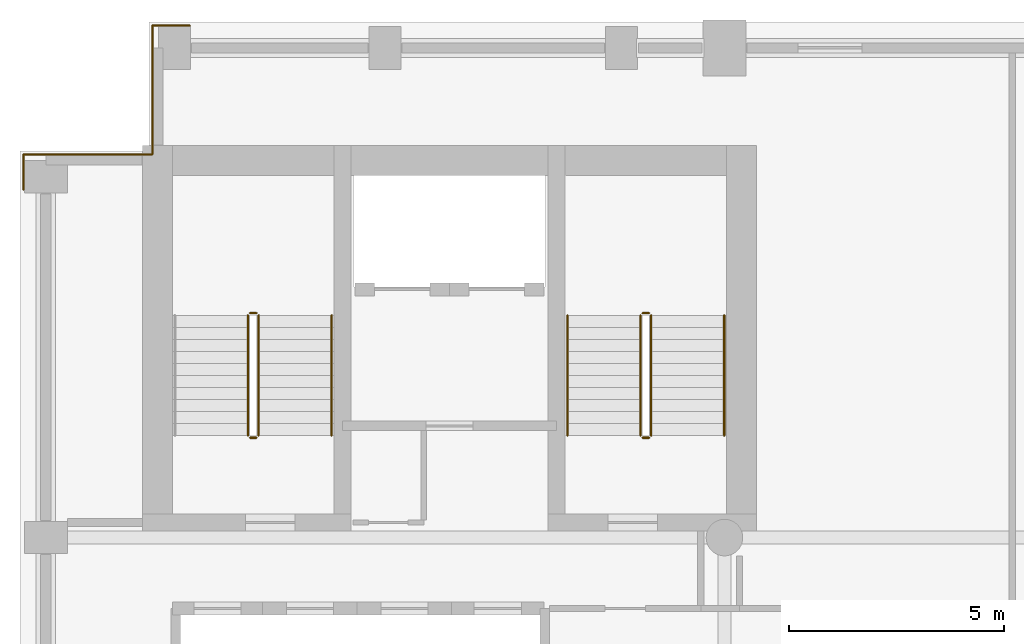
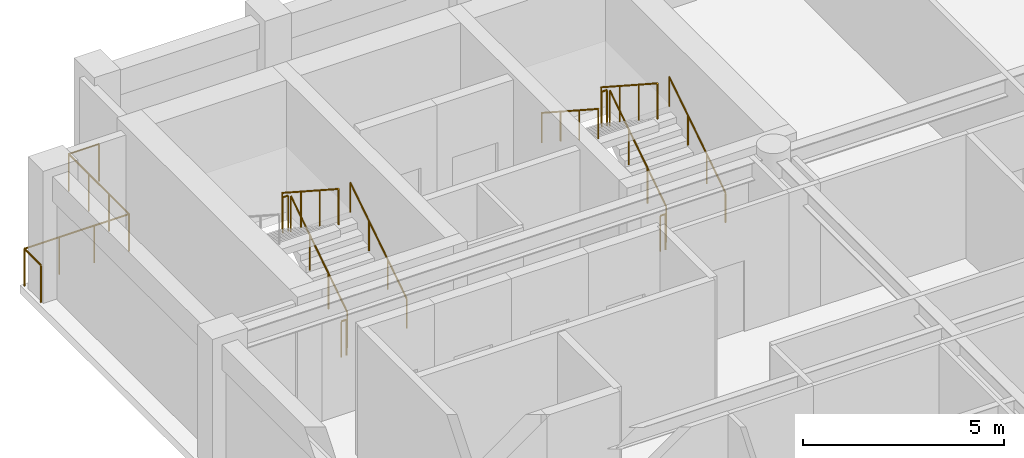
# One storey, part 8 of 9: 15 railings.
"""IFC4 building model written with IfcOpenShell, lengths in metres."""

from ifc_helpers import new_model, si_unit, direction, frame, origin, origin_2d, place, context, subcontext, project, spatial, circle, extrude, material, type_object, element, save


model = new_model("IFC4")

# Units and contexts
model_context = context("Model", 3, precision=1e-05, world=origin(), true_north=direction((0.0, 1.0)))
body_context = subcontext(model_context, "Body", "Model", "MODEL_VIEW")
ifc_project = project(units=[si_unit("LENGTHUNIT", "METRE"), si_unit("AREAUNIT", "SQUARE_METRE"), si_unit("VOLUMEUNIT", "CUBIC_METRE"), si_unit("PLANEANGLEUNIT", "RADIAN"), si_unit("MASSUNIT", "GRAM", prefix="KILO")], contexts=[model_context])

# Site, building, storey
site_placement = place(None, origin())
site = spatial("IfcSite", under=ifc_project, at=site_placement, CompositionType="ELEMENT")
building_placement = place(site_placement, origin())
building = spatial("IfcBuilding", under=site, at=building_placement, Name="Sulina Concourse Tower", CompositionType="ELEMENT")
storey_placement = place(building_placement, frame((0.0, 0.0, 268.60009765625)))
storey = spatial("IfcBuildingStorey", under=building, at=storey_placement, Name="L65", CompositionType="ELEMENT", Elevation=268.60009765625)

# Railings
ifc_material_1 = material(Name="Galvanised steel railing", Category="steel")
railing_type_1 = type_object("IfcRailingType", Name="Core Stair Steel Guardrail 1150mm", PredefinedType="GUARDRAIL", material=ifc_material_1)
railing_1_placement = place(storey_placement, frame((0.080078125, 42.10009765625, 0.0)))
element("IfcRailing", 1, at=railing_1_placement, inside=storey, type_object=railing_type_1, Name="L65 perimeter edge safety guardrail NW1", PredefinedType="GUARDRAIL", context=body_context, shape_type="SweptSolid", body=[
    extrude(circle(Radius=0.02392578125, at=origin_2d()), frame((0.0, 0.0, 1.1259765625), z_axis=(0.0, 1.0, 0.0), x_axis=(-1.0, 0.0, 0.0)), (0.0, 0.0, 1.0), 0.81982421875),
    extrude(circle(Radius=0.02099609375, at=origin_2d()), origin(), (0.0, 0.0, 1.0), 1.101806640625),
    extrude(circle(Radius=0.02099609375, at=origin_2d()), frame((0.0, 0.81982421875, 0.0)), (0.0, 0.0, 1.0), 1.101806640625),
])
railing_2_placement = place(storey_placement, frame((0.080078125, 42.919921875, 0.0)))
element("IfcRailing", 2, at=railing_2_placement, inside=storey, type_object=railing_type_1, Name="L65 perimeter edge safety guardrail NW2", PredefinedType="GUARDRAIL", context=body_context, shape_type="SweptSolid", body=[
    extrude(circle(Radius=0.02392578125, at=origin_2d()), frame((0.0, 0.0, 1.1259765625), z_axis=(1.0, 0.0, 0.0), x_axis=(0.0, 1.0, 0.0)), (0.0, 0.0, 1.0), 3.0),
    extrude(circle(Radius=0.02099609375, at=origin_2d()), origin(), (0.0, 0.0, 1.0), 1.101806640625),
    extrude(circle(Radius=0.02099609375, at=origin_2d()), frame((1.0, 0.0, 0.0)), (0.0, 0.0, 1.0), 1.101806640625),
    extrude(circle(Radius=0.02099609375, at=origin_2d()), frame((2.0, 0.0, 0.0)), (0.0, 0.0, 1.0), 1.101806640625),
    extrude(circle(Radius=0.02099609375, at=origin_2d()), frame((3.0, 0.0, 0.0)), (0.0, 0.0, 1.0), 1.101806640625),
])
railing_3_placement = place(storey_placement, frame((3.080078125, 42.919921875, 0.0)))
element("IfcRailing", 3, at=railing_3_placement, inside=storey, type_object=railing_type_1, Name="L65 perimeter edge safety guardrail NW3", PredefinedType="GUARDRAIL", context=body_context, shape_type="SweptSolid", body=[
    extrude(circle(Radius=0.02392578125, at=origin_2d()), frame((0.0, 0.0, 1.1259765625), z_axis=(0.0, 1.0, 0.0), x_axis=(-1.0, 0.0, 0.0)), (0.0, 0.0, 1.0), 3.0),
    extrude(circle(Radius=0.02099609375, at=origin_2d()), origin(), (0.0, 0.0, 1.0), 1.101806640625),
    extrude(circle(Radius=0.02099609375, at=origin_2d()), frame((0.0, 1.0, 0.0)), (0.0, 0.0, 1.0), 1.101806640625),
    extrude(circle(Radius=0.02099609375, at=origin_2d()), frame((0.0, 2.0, 0.0)), (0.0, 0.0, 1.0), 1.101806640625),
    extrude(circle(Radius=0.02099609375, at=origin_2d()), frame((0.0, 3.0, 0.0)), (0.0, 0.0, 1.0), 1.101806640625),
])
railing_4_placement = place(storey_placement, frame((3.080078125, 45.919921875, 0.0)))
element("IfcRailing", 4, at=railing_4_placement, inside=storey, type_object=railing_type_1, Name="L65 perimeter edge safety guardrail NW4", PredefinedType="GUARDRAIL", context=body_context, shape_type="SweptSolid", body=[
    extrude(circle(Radius=0.02392578125, at=origin_2d()), frame((0.0, 0.0, 1.1259765625), z_axis=(1.0, 0.0, 0.0), x_axis=(0.0, 1.0, 0.0)), (0.0, 0.0, 1.0), 0.869873046875),
    extrude(circle(Radius=0.02099609375, at=origin_2d()), origin(), (0.0, 0.0, 1.0), 1.101806640625),
    extrude(circle(Radius=0.02099609375, at=origin_2d()), frame((0.869873046875, 0.0, 0.0)), (0.0, 0.0, 1.0), 1.101806640625),
])
railing_5_placement = place(storey_placement, frame((5.554931640625, 36.375, 0.181640625)))
element("IfcRailing", 5, at=railing_5_placement, inside=storey, type_object=railing_type_1, Name="L65 ST-1 stair guard 1", PredefinedType="GUARDRAIL", context=body_context, shape_type="SweptSolid", body=[
    extrude(circle(Radius=0.02392578125, at=origin_2d()), frame((0.0, 0.0, 1.076171875), z_axis=(0.0, 0.838672427954, 0.544636170843), x_axis=(-1.0, 0.0, 0.0)), (0.0, 0.0, 1.0), 3.338623046875),
    extrude(circle(Radius=0.02099609375, at=origin_2d()), origin(), (0.0, 0.0, 1.0), 1.052001953125),
    extrude(circle(Radius=0.02099609375, at=origin_2d()), frame((0.0, 0.933349609375, 0.606201171875)), (0.0, 0.0, 1.0), 1.052001953125),
    extrude(circle(Radius=0.02099609375, at=origin_2d()), frame((0.0, 1.86669921875, 1.212158203125)), (0.0, 0.0, 1.0), 1.052001953125),
    extrude(circle(Radius=0.02099609375, at=origin_2d()), frame((0.0, 2.800048828125, 1.818359375)), (0.0, 0.0, 1.0), 1.052001953125),
])
railing_6_placement = place(storey_placement, frame((5.5048828125, 39.22509765625, 2.0)))
element("IfcRailing", 6, at=railing_6_placement, inside=storey, type_object=railing_type_1, Name="L65 ST-1 stair guard 2", PredefinedType="GUARDRAIL", context=body_context, shape_type="SweptSolid", body=[
    extrude(circle(Radius=0.02392578125, at=origin_2d()), frame((0.0, 0.0, 1.076171875), z_axis=(-1.0, 0.0, 0.0), x_axis=(0.0, -1.0, 0.0)), (0.0, 0.0, 1.0), 0.14990234375),
    extrude(circle(Radius=0.02099609375, at=origin_2d()), origin(), (0.0, 0.0, 1.0), 1.052001953125),
    extrude(circle(Radius=0.02099609375, at=origin_2d()), frame((-0.14990234375, 0.0, 0.0)), (0.0, 0.0, 1.0), 1.052001953125),
])
railing_7_placement = place(storey_placement, frame((5.304931640625, 39.175048828125, 2.181640625)))
element("IfcRailing", 7, at=railing_7_placement, inside=storey, type_object=railing_type_1, Name="L65 ST-1 stair guard 3", PredefinedType="GUARDRAIL", context=body_context, shape_type="SweptSolid", body=[
    extrude(circle(Radius=0.02392578125, at=origin_2d()), frame((0.0, 0.0, 1.076171875), z_axis=(0.0, -0.838672427954, 0.544636170843), x_axis=(1.0, 0.0, 0.0)), (0.0, 0.0, 1.0), 3.338623046875),
    extrude(circle(Radius=0.02099609375, at=origin_2d()), origin(), (0.0, 0.0, 1.0), 1.052001953125),
    extrude(circle(Radius=0.02099609375, at=origin_2d()), frame((0.0, -0.933349609375, 0.606201171875)), (0.0, 0.0, 1.0), 1.052001953125),
    extrude(circle(Radius=0.02099609375, at=origin_2d()), frame((0.0, -1.86669921875, 1.212158203125)), (0.0, 0.0, 1.0), 1.052001953125),
    extrude(circle(Radius=0.02099609375, at=origin_2d()), frame((0.0, -2.800048828125, 1.818359375)), (0.0, 0.0, 1.0), 1.052001953125),
])
railing_8_placement = place(storey_placement, frame((5.5048828125, 36.324951171875, 0.0)))
element("IfcRailing", 8, at=railing_8_placement, inside=storey, type_object=railing_type_1, Name="L65 ST-1 stair guard 4", PredefinedType="GUARDRAIL", context=body_context, shape_type="SweptSolid", body=[
    extrude(circle(Radius=0.02392578125, at=origin_2d()), frame((0.0, 0.0, 1.076171875), z_axis=(-1.0, 0.0, 0.0), x_axis=(0.0, -1.0, 0.0)), (0.0, 0.0, 1.0), 0.14990234375),
    extrude(circle(Radius=0.02099609375, at=origin_2d()), origin(), (0.0, 0.0, 1.0), 1.052001953125),
    extrude(circle(Radius=0.02099609375, at=origin_2d()), frame((-0.14990234375, 0.0, 0.0)), (0.0, 0.0, 1.0), 1.052001953125),
])
railing_9_placement = place(storey_placement, frame((14.695068359375, 36.375, 0.181640625)))
element("IfcRailing", 9, at=railing_9_placement, inside=storey, type_object=railing_type_1, Name="L65 ST-2 stair guard 1", PredefinedType="GUARDRAIL", context=body_context, shape_type="SweptSolid", body=[
    extrude(circle(Radius=0.02392578125, at=origin_2d()), frame((0.0, 0.0, 1.076171875), z_axis=(0.0, 0.838672427954, 0.544636170843), x_axis=(-1.0, 0.0, 0.0)), (0.0, 0.0, 1.0), 3.338623046875),
    extrude(circle(Radius=0.02099609375, at=origin_2d()), origin(), (0.0, 0.0, 1.0), 1.052001953125),
    extrude(circle(Radius=0.02099609375, at=origin_2d()), frame((0.0, 0.933349609375, 0.606201171875)), (0.0, 0.0, 1.0), 1.052001953125),
    extrude(circle(Radius=0.02099609375, at=origin_2d()), frame((0.0, 1.86669921875, 1.212158203125)), (0.0, 0.0, 1.0), 1.052001953125),
    extrude(circle(Radius=0.02099609375, at=origin_2d()), frame((0.0, 2.800048828125, 1.818359375)), (0.0, 0.0, 1.0), 1.052001953125),
])
railing_10_placement = place(storey_placement, frame((14.64501953125, 39.22509765625, 2.0)))
element("IfcRailing", 10, at=railing_10_placement, inside=storey, type_object=railing_type_1, Name="L65 ST-2 stair guard 2", PredefinedType="GUARDRAIL", context=body_context, shape_type="SweptSolid", body=[
    extrude(circle(Radius=0.02392578125, at=origin_2d()), frame((0.0, 0.0, 1.076171875), z_axis=(-1.0, 0.0, 0.0), x_axis=(0.0, -1.0, 0.0)), (0.0, 0.0, 1.0), 0.14990234375),
    extrude(circle(Radius=0.02099609375, at=origin_2d()), origin(), (0.0, 0.0, 1.0), 1.052001953125),
    extrude(circle(Radius=0.02099609375, at=origin_2d()), frame((-0.14990234375, 0.0, 0.0)), (0.0, 0.0, 1.0), 1.052001953125),
])
railing_11_placement = place(storey_placement, frame((14.445068359375, 39.175048828125, 2.181640625)))
element("IfcRailing", 11, at=railing_11_placement, inside=storey, type_object=railing_type_1, Name="L65 ST-2 stair guard 3", PredefinedType="GUARDRAIL", context=body_context, shape_type="SweptSolid", body=[
    extrude(circle(Radius=0.02392578125, at=origin_2d()), frame((0.0, 0.0, 1.076171875), z_axis=(0.0, -0.838672427954, 0.544636170843), x_axis=(1.0, 0.0, 0.0)), (0.0, 0.0, 1.0), 3.338623046875),
    extrude(circle(Radius=0.02099609375, at=origin_2d()), origin(), (0.0, 0.0, 1.0), 1.052001953125),
    extrude(circle(Radius=0.02099609375, at=origin_2d()), frame((0.0, -0.933349609375, 0.606201171875)), (0.0, 0.0, 1.0), 1.052001953125),
    extrude(circle(Radius=0.02099609375, at=origin_2d()), frame((0.0, -1.86669921875, 1.212158203125)), (0.0, 0.0, 1.0), 1.052001953125),
    extrude(circle(Radius=0.02099609375, at=origin_2d()), frame((0.0, -2.800048828125, 1.818359375)), (0.0, 0.0, 1.0), 1.052001953125),
])
railing_12_placement = place(storey_placement, frame((14.64501953125, 36.324951171875, 0.0)))
element("IfcRailing", 12, at=railing_12_placement, inside=storey, type_object=railing_type_1, Name="L65 ST-2 stair guard 4", PredefinedType="GUARDRAIL", context=body_context, shape_type="SweptSolid", body=[
    extrude(circle(Radius=0.02392578125, at=origin_2d()), frame((0.0, 0.0, 1.076171875), z_axis=(-1.0, 0.0, 0.0), x_axis=(0.0, -1.0, 0.0)), (0.0, 0.0, 1.0), 0.14990234375),
    extrude(circle(Radius=0.02099609375, at=origin_2d()), origin(), (0.0, 0.0, 1.0), 1.052001953125),
    extrude(circle(Radius=0.02099609375, at=origin_2d()), frame((-0.14990234375, 0.0, 0.0)), (0.0, 0.0, 1.0), 1.052001953125),
])
ifc_material_2 = material(Name="Galvanised steel railing", Category="steel")
railing_type_2 = type_object("IfcRailingType", Name="Stair Wall Steel Handrail 920mm", PredefinedType="HANDRAIL", material=ifc_material_2)
for number, where, name in (
    (13, (7.2548828125, 36.375, 0.181640625), "L65 ST-1 stair handrail 1"),
    (14, (16.39501953125, 36.375, 0.181640625), "L65 ST-2 stair handrail 1"),
):
    element("IfcRailing", number, at=place(storey_placement, frame(where)), inside=storey, type_object=railing_type_2, Name=name, PredefinedType="HANDRAIL", context=body_context, shape_type="SweptSolid", body=[
        extrude(circle(Radius=0.02392578125, at=origin_2d()), frame((0.0, 0.0, 0.89599609375), z_axis=(0.0, 0.838672427954, 0.544636170843), x_axis=(-1.0, 0.0, 0.0)), (0.0, 0.0, 1.0), 3.338623046875),
        extrude(circle(Radius=0.02099609375, at=origin_2d()), origin(), (0.0, 0.0, 1.0), 0.871826171875),
        extrude(circle(Radius=0.02099609375, at=origin_2d()), frame((0.0, 0.933349609375, 0.606201171875)), (0.0, 0.0, 1.0), 0.871826171875),
        extrude(circle(Radius=0.02099609375, at=origin_2d()), frame((0.0, 1.86669921875, 1.212158203125)), (0.0, 0.0, 1.0), 0.871826171875),
        extrude(circle(Radius=0.02099609375, at=origin_2d()), frame((0.0, 2.800048828125, 1.818359375)), (0.0, 0.0, 1.0), 0.871826171875),
    ])
railing_13_placement = place(storey_placement, frame((12.7451171875, 39.175048828125, 2.181640625)))
element("IfcRailing", 15, at=railing_13_placement, inside=storey, type_object=railing_type_2, Name="L65 ST-2 stair handrail 2", PredefinedType="HANDRAIL", context=body_context, shape_type="SweptSolid", body=[
    extrude(circle(Radius=0.02392578125, at=origin_2d()), frame((0.0, 0.0, 0.89599609375), z_axis=(0.0, -0.838672427954, 0.544636170843), x_axis=(1.0, 0.0, 0.0)), (0.0, 0.0, 1.0), 3.338623046875),
    extrude(circle(Radius=0.02099609375, at=origin_2d()), origin(), (0.0, 0.0, 1.0), 0.871826171875),
    extrude(circle(Radius=0.02099609375, at=origin_2d()), frame((0.0, -0.933349609375, 0.606201171875)), (0.0, 0.0, 1.0), 0.871826171875),
    extrude(circle(Radius=0.02099609375, at=origin_2d()), frame((0.0, -1.86669921875, 1.212158203125)), (0.0, 0.0, 1.0), 0.871826171875),
    extrude(circle(Radius=0.02099609375, at=origin_2d()), frame((0.0, -2.800048828125, 1.818359375)), (0.0, 0.0, 1.0), 0.871826171875),
])

save(model, "model.ifc")
